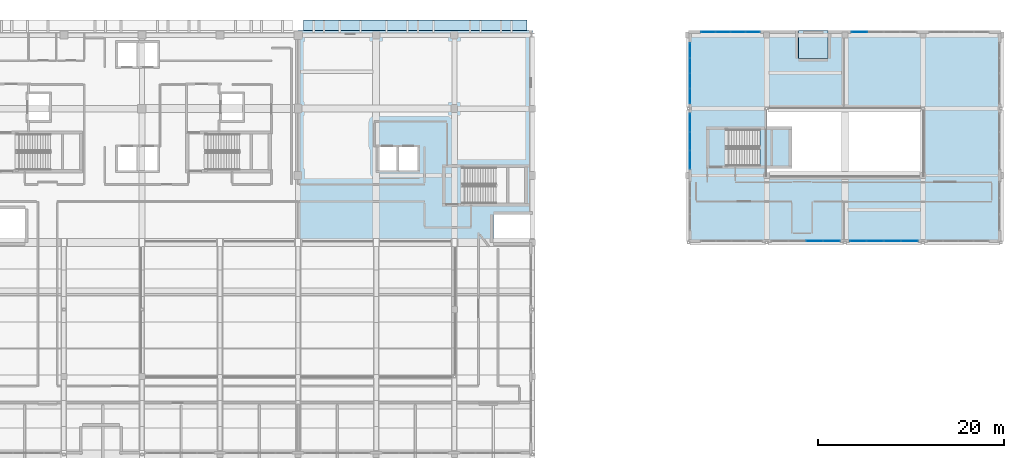
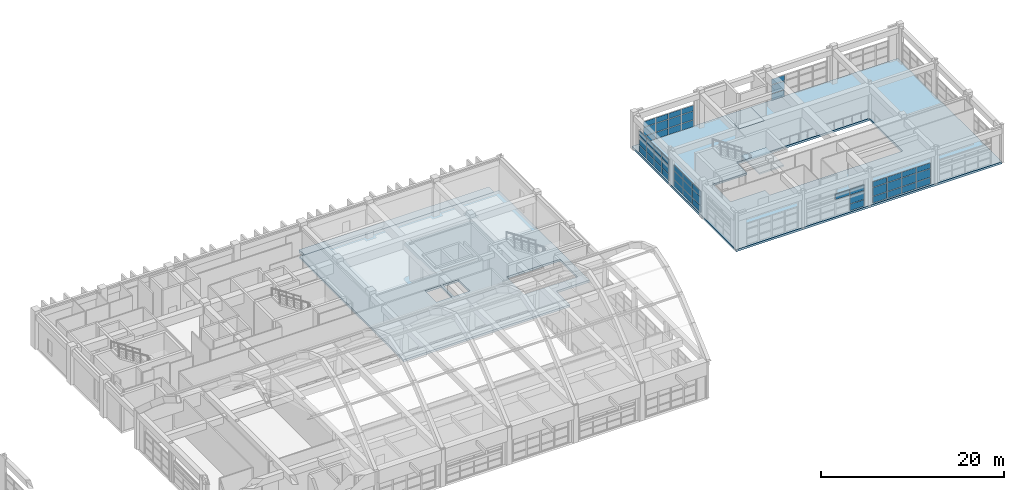
# One storey, part 78 of 103: 52 plates, 5 slabs, 7 elements without a shape of their own.
"""IFC4 building model written with IfcOpenShell, lengths in metres."""

from ifc_helpers import new_model, si_unit, direction, frame, origin, origin_2d, place, context, subcontext, project, spatial, polyline, rectangle, outline, extrude, material, layer, layer_set, type_object, element, aggregate, save


model = new_model("IFC4")

# Units and contexts
model_context = context("Model", 3, precision=1e-05, world=origin(), true_north=direction((0.0, 1.0)))
body_context = subcontext(model_context, "Body", "Model", "MODEL_VIEW")
ifc_project = project(units=[si_unit("LENGTHUNIT", "METRE"), si_unit("AREAUNIT", "SQUARE_METRE"), si_unit("VOLUMEUNIT", "CUBIC_METRE"), si_unit("PLANEANGLEUNIT", "RADIAN"), si_unit("MASSUNIT", "GRAM", prefix="KILO")], contexts=[model_context])

# Site, building, storey
site_placement = place(None, origin())
site = spatial("IfcSite", under=ifc_project, at=site_placement, CompositionType="ELEMENT")
building_placement = place(site_placement, origin())
building = spatial("IfcBuilding", under=site, at=building_placement, Name="Quendrovan Civic Courthouse", CompositionType="ELEMENT")
storey_placement = place(building_placement, frame((0.0, 0.0, 15.300048828125)))
storey = spatial("IfcBuildingStorey", under=building, at=storey_placement, Name="L04", CompositionType="ELEMENT", Elevation=15.300048828125)

# Curtain wall, plates
ifc_material_1 = material(Name="Bronze anodised aluminium and low-E glass", Category="aluminium")
ifc_layer_1 = layer(ifc_material_1, 0.179931640625, Name="Bronze anodised aluminium and low-E glass")
ifc_layer_set_1 = layer_set([ifc_layer_1], Name="Bronze anodised aluminium and low-E glass")
curtain_wall_type_1 = type_object("IfcCurtainWallType", Name="CW-U70x30", PredefinedType="USERDEFINED", material=ifc_layer_set_1)
curtain_wall_1_placement = place(storey_placement, origin())
curtain_wall_1 = element("IfcCurtainWall", 1, at=curtain_wall_1_placement, inside=storey, type_object=curtain_wall_type_1, Name="L04 Unitised Hurricane Curtain Wall CW-168", ObjectType="UNITISED CURTAIN WALL", PredefinedType="USERDEFINED")
ifc_material_2 = material(Name="Laminated hurricane-impact low-E glass", Category="glass")
ifc_layer_2 = layer(ifc_material_2, 0.028076171875, Name="Laminated hurricane-impact low-E glass")
ifc_layer_set_2 = layer_set([ifc_layer_2], Name="Laminated hurricane-impact low-E glass")
plate_type_1 = type_object("IfcPlateType", Name="CW-PNL-1", PredefinedType="CURTAIN_PANEL", material=ifc_layer_set_2)
plate_1_placement = place(storey_placement, frame((127.57373046875, 110.235107421875, 0.06982421875), z_axis=(0.0, 0.0, 1.0), x_axis=(1.0, 0.0, 0.0)))
plate_1 = element("IfcPlate", 2, at=plate_1_placement, type_object=plate_type_1, Name="CW-168 panel 1.1", PredefinedType="CURTAIN_PANEL", context=body_context, shape_type="SweptSolid", body=[
    extrude(rectangle(XDim=1.657470703125, YDim=0.028076171875, at=origin_2d()), origin(), (0.0, 0.0, 1.0), 0.844970703125),
])
plate_2_placement = place(storey_placement, frame((127.57373046875, 110.235107421875, 0.985107421875), z_axis=(0.0, 0.0, 1.0), x_axis=(1.0, 0.0, 0.0)))
plate_2 = element("IfcPlate", 3, at=plate_2_placement, type_object=plate_type_1, Name="CW-168 panel 1.2", PredefinedType="CURTAIN_PANEL", context=body_context, shape_type="SweptSolid", body=[
    extrude(rectangle(XDim=1.657470703125, YDim=0.028076171875, at=origin_2d()), origin(), (0.0, 0.0, 1.0), 1.1298828125),
])
plate_3_placement = place(storey_placement, frame((127.57373046875, 110.235107421875, 2.18505859375), z_axis=(0.0, 0.0, 1.0), x_axis=(1.0, 0.0, 0.0)))
plate_3 = element("IfcPlate", 4, at=plate_3_placement, type_object=plate_type_1, Name="CW-168 panel 1.3", PredefinedType="CURTAIN_PANEL", context=body_context, shape_type="SweptSolid", body=[
    extrude(rectangle(XDim=1.657470703125, YDim=0.028076171875, at=origin_2d()), origin(), (0.0, 0.0, 1.0), 0.715087890625),
])
aggregate(curtain_wall_1, [plate_1, plate_2, plate_3])

ifc_layer_3 = layer(ifc_material_1, 0.179931640625, Name="Bronze anodised aluminium and low-E glass")
ifc_layer_set_3 = layer_set([ifc_layer_3], Name="Bronze anodised aluminium and low-E glass")
curtain_wall_type_2 = type_object("IfcCurtainWallType", Name="CW-U74x30", PredefinedType="USERDEFINED", material=ifc_layer_set_3)
curtain_wall_2_placement = place(storey_placement, origin())
curtain_wall_2 = element("IfcCurtainWall", 5, at=curtain_wall_2_placement, inside=storey, type_object=curtain_wall_type_2, Name="L04 Unitised Hurricane Curtain Wall CW-174", ObjectType="UNITISED CURTAIN WALL", PredefinedType="USERDEFINED")
ifc_layer_4 = layer(ifc_material_2, 0.035888671875, Name="Laminated hurricane-impact low-E glass")
ifc_layer_set_4 = layer_set([ifc_layer_4], Name="Laminated hurricane-impact low-E glass")
plate_type_2 = type_object("IfcPlateType", Name="CW-PNL-3", PredefinedType="CURTAIN_PANEL", material=ifc_layer_set_4)
plate_4_placement = place(storey_placement, frame((132.95751953125, 87.764892578125, 0.06982421875), z_axis=(0.0, 0.0, 1.0), x_axis=(-1.0, 0.0, 0.0)))
plate_4 = element("IfcPlate", 6, at=plate_4_placement, type_object=plate_type_2, Name="CW-174 panel 1.1", PredefinedType="CURTAIN_PANEL", context=body_context, shape_type="SweptSolid", body=[
    extrude(rectangle(XDim=1.7451171875, YDim=0.035888671875, at=origin_2d()), origin(), (0.0, 0.0, 1.0), 0.844970703125),
])
plate_5_placement = place(storey_placement, frame((132.95751953125, 87.764892578125, 0.985107421875), z_axis=(0.0, 0.0, 1.0), x_axis=(-1.0, 0.0, 0.0)))
plate_5 = element("IfcPlate", 7, at=plate_5_placement, type_object=plate_type_2, Name="CW-174 panel 1.2", PredefinedType="CURTAIN_PANEL", context=body_context, shape_type="SweptSolid", body=[
    extrude(rectangle(XDim=1.7451171875, YDim=0.035888671875, at=origin_2d()), origin(), (0.0, 0.0, 1.0), 1.1298828125),
])
plate_6_placement = place(storey_placement, frame((132.95751953125, 87.764892578125, 2.18505859375), z_axis=(0.0, 0.0, 1.0), x_axis=(-1.0, 0.0, 0.0)))
plate_6 = element("IfcPlate", 8, at=plate_6_placement, type_object=plate_type_2, Name="CW-174 panel 1.3", PredefinedType="CURTAIN_PANEL", context=body_context, shape_type="SweptSolid", body=[
    extrude(rectangle(XDim=1.7451171875, YDim=0.035888671875, at=origin_2d()), origin(), (0.0, 0.0, 1.0), 0.715087890625),
])
plate_7_placement = place(storey_placement, frame((131.125, 87.764892578125, 0.06982421875), z_axis=(0.0, 0.0, 1.0), x_axis=(-1.0, 0.0, 0.0)))
plate_7 = element("IfcPlate", 9, at=plate_7_placement, type_object=plate_type_2, Name="CW-174 panel 2.1", PredefinedType="CURTAIN_PANEL", context=body_context, shape_type="SweptSolid", body=[
    extrude(rectangle(XDim=1.780029296875, YDim=0.035888671875, at=origin_2d()), origin(), (0.0, 0.0, 1.0), 0.844970703125),
])
plate_8_placement = place(storey_placement, frame((131.125, 87.764892578125, 0.985107421875), z_axis=(0.0, 0.0, 1.0), x_axis=(-1.0, 0.0, 0.0)))
plate_8 = element("IfcPlate", 10, at=plate_8_placement, type_object=plate_type_2, Name="CW-174 panel 2.2", PredefinedType="CURTAIN_PANEL", context=body_context, shape_type="SweptSolid", body=[
    extrude(rectangle(XDim=1.780029296875, YDim=0.035888671875, at=origin_2d()), origin(), (0.0, 0.0, 1.0), 1.1298828125),
])
plate_9_placement = place(storey_placement, frame((131.125, 87.764892578125, 2.18505859375), z_axis=(0.0, 0.0, 1.0), x_axis=(-1.0, 0.0, 0.0)))
plate_9 = element("IfcPlate", 11, at=plate_9_placement, type_object=plate_type_2, Name="CW-174 panel 2.3", PredefinedType="CURTAIN_PANEL", context=body_context, shape_type="SweptSolid", body=[
    extrude(rectangle(XDim=1.780029296875, YDim=0.035888671875, at=origin_2d()), origin(), (0.0, 0.0, 1.0), 0.715087890625),
])
plate_10_placement = place(storey_placement, frame((129.27490234375, 87.764892578125, 0.06982421875), z_axis=(0.0, 0.0, 1.0), x_axis=(-1.0, 0.0, 0.0)))
plate_10 = element("IfcPlate", 12, at=plate_10_placement, type_object=plate_type_2, Name="CW-174 panel 3.1", PredefinedType="CURTAIN_PANEL", context=body_context, shape_type="SweptSolid", body=[
    extrude(rectangle(XDim=1.780029296875, YDim=0.035888671875, at=origin_2d()), origin(), (0.0, 0.0, 1.0), 0.844970703125),
])
plate_11_placement = place(storey_placement, frame((129.27490234375, 87.764892578125, 0.985107421875), z_axis=(0.0, 0.0, 1.0), x_axis=(-1.0, 0.0, 0.0)))
plate_11 = element("IfcPlate", 13, at=plate_11_placement, type_object=plate_type_2, Name="CW-174 panel 3.2", PredefinedType="CURTAIN_PANEL", context=body_context, shape_type="SweptSolid", body=[
    extrude(rectangle(XDim=1.780029296875, YDim=0.035888671875, at=origin_2d()), origin(), (0.0, 0.0, 1.0), 1.1298828125),
])
plate_12_placement = place(storey_placement, frame((129.27490234375, 87.764892578125, 2.18505859375), z_axis=(0.0, 0.0, 1.0), x_axis=(-1.0, 0.0, 0.0)))
plate_12 = element("IfcPlate", 14, at=plate_12_placement, type_object=plate_type_2, Name="CW-174 panel 3.3", PredefinedType="CURTAIN_PANEL", context=body_context, shape_type="SweptSolid", body=[
    extrude(rectangle(XDim=1.780029296875, YDim=0.035888671875, at=origin_2d()), origin(), (0.0, 0.0, 1.0), 0.715087890625),
])
plate_13_placement = place(storey_placement, frame((127.4423828125, 87.764892578125, 0.06982421875), z_axis=(0.0, 0.0, 1.0), x_axis=(-1.0, 0.0, 0.0)))
plate_13 = element("IfcPlate", 15, at=plate_13_placement, type_object=plate_type_2, Name="CW-174 panel 4.1", PredefinedType="CURTAIN_PANEL", context=body_context, shape_type="SweptSolid", body=[
    extrude(rectangle(XDim=1.7451171875, YDim=0.035888671875, at=origin_2d()), origin(), (0.0, 0.0, 1.0), 0.844970703125),
])
plate_14_placement = place(storey_placement, frame((127.4423828125, 87.764892578125, 0.985107421875), z_axis=(0.0, 0.0, 1.0), x_axis=(-1.0, 0.0, 0.0)))
plate_14 = element("IfcPlate", 16, at=plate_14_placement, type_object=plate_type_2, Name="CW-174 panel 4.2", PredefinedType="CURTAIN_PANEL", context=body_context, shape_type="SweptSolid", body=[
    extrude(rectangle(XDim=1.7451171875, YDim=0.035888671875, at=origin_2d()), origin(), (0.0, 0.0, 1.0), 1.1298828125),
])
plate_15_placement = place(storey_placement, frame((127.4423828125, 87.764892578125, 2.18505859375), z_axis=(0.0, 0.0, 1.0), x_axis=(-1.0, 0.0, 0.0)))
plate_15 = element("IfcPlate", 17, at=plate_15_placement, type_object=plate_type_2, Name="CW-174 panel 4.3", PredefinedType="CURTAIN_PANEL", context=body_context, shape_type="SweptSolid", body=[
    extrude(rectangle(XDim=1.7451171875, YDim=0.035888671875, at=origin_2d()), origin(), (0.0, 0.0, 1.0), 0.715087890625),
])
aggregate(curtain_wall_2, [plate_4, plate_5, plate_6, plate_7, plate_8, plate_9, plate_10, plate_11, plate_12, plate_13, plate_14, plate_15])

ifc_layer_5 = layer(ifc_material_1, 0.179931640625, Name="Bronze anodised aluminium and low-E glass")
ifc_layer_set_5 = layer_set([ifc_layer_5], Name="Bronze anodised aluminium and low-E glass")
curtain_wall_type_3 = type_object("IfcCurtainWallType", Name="CW-U60x30", PredefinedType="USERDEFINED", material=ifc_layer_set_5)
curtain_wall_3_placement = place(storey_placement, origin())
curtain_wall_3 = element("IfcCurtainWall", 18, at=curtain_wall_3_placement, inside=storey, type_object=curtain_wall_type_3, Name="L04 Unitised Hurricane Curtain Wall CW-178", ObjectType="UNITISED CURTAIN WALL", PredefinedType="USERDEFINED")
plate_16_placement = place(storey_placement, frame((109.364990234375, 96.49658203125, 0.06982421875), z_axis=(0.0, 0.0, 1.0), x_axis=(0.0, 1.0, 0.0)))
plate_16 = element("IfcPlate", 19, at=plate_16_placement, type_object=plate_type_2, Name="CW-178 panel 1.1", PredefinedType="CURTAIN_PANEL", context=body_context, shape_type="SweptSolid", body=[
    extrude(rectangle(XDim=1.9033203125, YDim=0.035888671875, at=origin_2d()), origin(), (0.0, 0.0, 1.0), 0.844970703125),
])
plate_17_placement = place(storey_placement, frame((109.364990234375, 96.49658203125, 0.985107421875), z_axis=(0.0, 0.0, 1.0), x_axis=(0.0, 1.0, 0.0)))
plate_17 = element("IfcPlate", 20, at=plate_17_placement, type_object=plate_type_2, Name="CW-178 panel 1.2", PredefinedType="CURTAIN_PANEL", context=body_context, shape_type="SweptSolid", body=[
    extrude(rectangle(XDim=1.9033203125, YDim=0.035888671875, at=origin_2d()), origin(), (0.0, 0.0, 1.0), 1.1298828125),
])
plate_18_placement = place(storey_placement, frame((109.364990234375, 96.49658203125, 2.18505859375), z_axis=(0.0, 0.0, 1.0), x_axis=(0.0, 1.0, 0.0)))
plate_18 = element("IfcPlate", 21, at=plate_18_placement, type_object=plate_type_2, Name="CW-178 panel 1.3", PredefinedType="CURTAIN_PANEL", context=body_context, shape_type="SweptSolid", body=[
    extrude(rectangle(XDim=1.9033203125, YDim=0.035888671875, at=origin_2d()), origin(), (0.0, 0.0, 1.0), 0.715087890625),
])
plate_19_placement = place(storey_placement, frame((109.364990234375, 98.487548828125, 0.06982421875), z_axis=(0.0, 0.0, 1.0), x_axis=(0.0, 1.0, 0.0)))
plate_19 = element("IfcPlate", 22, at=plate_19_placement, type_object=plate_type_2, Name="CW-178 panel 2.1", PredefinedType="CURTAIN_PANEL", context=body_context, shape_type="SweptSolid", body=[
    extrude(rectangle(XDim=1.938232421875, YDim=0.035888671875, at=origin_2d()), origin(), (0.0, 0.0, 1.0), 0.844970703125),
])
plate_20_placement = place(storey_placement, frame((109.364990234375, 98.487548828125, 0.985107421875), z_axis=(0.0, 0.0, 1.0), x_axis=(0.0, 1.0, 0.0)))
plate_20 = element("IfcPlate", 23, at=plate_20_placement, type_object=plate_type_2, Name="CW-178 panel 2.2", PredefinedType="CURTAIN_PANEL", context=body_context, shape_type="SweptSolid", body=[
    extrude(rectangle(XDim=1.938232421875, YDim=0.035888671875, at=origin_2d()), origin(), (0.0, 0.0, 1.0), 1.1298828125),
])
plate_21_placement = place(storey_placement, frame((109.364990234375, 98.487548828125, 2.18505859375), z_axis=(0.0, 0.0, 1.0), x_axis=(0.0, 1.0, 0.0)))
plate_21 = element("IfcPlate", 24, at=plate_21_placement, type_object=plate_type_2, Name="CW-178 panel 2.3", PredefinedType="CURTAIN_PANEL", context=body_context, shape_type="SweptSolid", body=[
    extrude(rectangle(XDim=1.938232421875, YDim=0.035888671875, at=origin_2d()), origin(), (0.0, 0.0, 1.0), 0.715087890625),
])
plate_22_placement = place(storey_placement, frame((109.364990234375, 100.478271484375, 0.06982421875), z_axis=(0.0, 0.0, 1.0), x_axis=(0.0, 1.0, 0.0)))
plate_22 = element("IfcPlate", 25, at=plate_22_placement, type_object=plate_type_2, Name="CW-178 panel 3.1", PredefinedType="CURTAIN_PANEL", context=body_context, shape_type="SweptSolid", body=[
    extrude(rectangle(XDim=1.9033203125, YDim=0.035888671875, at=origin_2d()), origin(), (0.0, 0.0, 1.0), 0.844970703125),
])
plate_23_placement = place(storey_placement, frame((109.364990234375, 100.478271484375, 0.985107421875), z_axis=(0.0, 0.0, 1.0), x_axis=(0.0, 1.0, 0.0)))
plate_23 = element("IfcPlate", 26, at=plate_23_placement, type_object=plate_type_2, Name="CW-178 panel 3.2", PredefinedType="CURTAIN_PANEL", context=body_context, shape_type="SweptSolid", body=[
    extrude(rectangle(XDim=1.9033203125, YDim=0.035888671875, at=origin_2d()), origin(), (0.0, 0.0, 1.0), 1.1298828125),
])
plate_24_placement = place(storey_placement, frame((109.364990234375, 100.478271484375, 2.18505859375), z_axis=(0.0, 0.0, 1.0), x_axis=(0.0, 1.0, 0.0)))
plate_24 = element("IfcPlate", 27, at=plate_24_placement, type_object=plate_type_2, Name="CW-178 panel 3.3", PredefinedType="CURTAIN_PANEL", context=body_context, shape_type="SweptSolid", body=[
    extrude(rectangle(XDim=1.9033203125, YDim=0.035888671875, at=origin_2d()), origin(), (0.0, 0.0, 1.0), 0.715087890625),
])
aggregate(curtain_wall_3, [plate_16, plate_17, plate_18, plate_19, plate_20, plate_21, plate_22, plate_23, plate_24])

ifc_layer_6 = layer(ifc_material_1, 0.179931640625, Name="Bronze anodised aluminium and low-E glass")
ifc_layer_set_6 = layer_set([ifc_layer_6], Name="Bronze anodised aluminium and low-E glass")
curtain_wall_type_4 = type_object("IfcCurtainWallType", Name="CW-U64x30", PredefinedType="USERDEFINED", material=ifc_layer_set_6)
curtain_wall_4_placement = place(storey_placement, origin())
curtain_wall_4 = element("IfcCurtainWall", 28, at=curtain_wall_4_placement, inside=storey, type_object=curtain_wall_type_4, Name="L04 Unitised Hurricane Curtain Wall CW-167", ObjectType="UNITISED CURTAIN WALL", PredefinedType="USERDEFINED")
ifc_layer_7 = layer(ifc_material_2, 0.0419921875, Name="Laminated hurricane-impact low-E glass")
ifc_layer_set_7 = layer_set([ifc_layer_7], Name="Laminated hurricane-impact low-E glass")
plate_type_3 = type_object("IfcPlateType", Name="CW-PNL-4", PredefinedType="CURTAIN_PANEL", material=ifc_layer_set_7)
plate_25_placement = place(storey_placement, frame((111.3193359375, 110.235107421875, 0.06494140625), z_axis=(0.0, 0.0, 1.0), x_axis=(1.0, 0.0, 0.0)))
plate_25 = element("IfcPlate", 29, at=plate_25_placement, type_object=plate_type_3, Name="CW-167 panel 1.1", PredefinedType="CURTAIN_PANEL", context=body_context, shape_type="SweptSolid", body=[
    extrude(rectangle(XDim=1.5087890625, YDim=0.0419921875, at=origin_2d()), origin(), (0.0, 0.0, 1.0), 0.8525390625),
])
plate_26_placement = place(storey_placement, frame((111.3193359375, 110.235107421875, 0.982421875), z_axis=(0.0, 0.0, 1.0), x_axis=(1.0, 0.0, 0.0)))
plate_26 = element("IfcPlate", 30, at=plate_26_placement, type_object=plate_type_3, Name="CW-167 panel 1.2", PredefinedType="CURTAIN_PANEL", context=body_context, shape_type="SweptSolid", body=[
    extrude(rectangle(XDim=1.5087890625, YDim=0.0419921875, at=origin_2d()), origin(), (0.0, 0.0, 1.0), 1.135009765625),
])
plate_27_placement = place(storey_placement, frame((111.3193359375, 110.235107421875, 2.1826171875), z_axis=(0.0, 0.0, 1.0), x_axis=(1.0, 0.0, 0.0)))
plate_27 = element("IfcPlate", 31, at=plate_27_placement, type_object=plate_type_3, Name="CW-167 panel 1.3", PredefinedType="CURTAIN_PANEL", context=body_context, shape_type="SweptSolid", body=[
    extrude(rectangle(XDim=1.5087890625, YDim=0.0419921875, at=origin_2d()), origin(), (0.0, 0.0, 1.0), 0.722412109375),
])
plate_28_placement = place(storey_placement, frame((112.909423828125, 110.235107421875, 0.06494140625), z_axis=(0.0, 0.0, 1.0), x_axis=(1.0, 0.0, 0.0)))
plate_28 = element("IfcPlate", 32, at=plate_28_placement, type_object=plate_type_3, Name="CW-167 panel 2.1", PredefinedType="CURTAIN_PANEL", context=body_context, shape_type="SweptSolid", body=[
    extrude(rectangle(XDim=1.541259765625, YDim=0.0419921875, at=origin_2d()), origin(), (0.0, 0.0, 1.0), 0.8525390625),
])
plate_29_placement = place(storey_placement, frame((112.909423828125, 110.235107421875, 0.982421875), z_axis=(0.0, 0.0, 1.0), x_axis=(1.0, 0.0, 0.0)))
plate_29 = element("IfcPlate", 33, at=plate_29_placement, type_object=plate_type_3, Name="CW-167 panel 2.2", PredefinedType="CURTAIN_PANEL", context=body_context, shape_type="SweptSolid", body=[
    extrude(rectangle(XDim=1.541259765625, YDim=0.0419921875, at=origin_2d()), origin(), (0.0, 0.0, 1.0), 1.135009765625),
])
plate_30_placement = place(storey_placement, frame((112.909423828125, 110.235107421875, 2.1826171875), z_axis=(0.0, 0.0, 1.0), x_axis=(1.0, 0.0, 0.0)))
plate_30 = element("IfcPlate", 34, at=plate_30_placement, type_object=plate_type_3, Name="CW-167 panel 2.3", PredefinedType="CURTAIN_PANEL", context=body_context, shape_type="SweptSolid", body=[
    extrude(rectangle(XDim=1.541259765625, YDim=0.0419921875, at=origin_2d()), origin(), (0.0, 0.0, 1.0), 0.722412109375),
])
plate_31_placement = place(storey_placement, frame((114.515625, 110.235107421875, 0.06494140625), z_axis=(0.0, 0.0, 1.0), x_axis=(1.0, 0.0, 0.0)))
plate_31 = element("IfcPlate", 35, at=plate_31_placement, type_object=plate_type_3, Name="CW-167 panel 3.1", PredefinedType="CURTAIN_PANEL", context=body_context, shape_type="SweptSolid", body=[
    extrude(rectangle(XDim=1.541259765625, YDim=0.0419921875, at=origin_2d()), origin(), (0.0, 0.0, 1.0), 0.8525390625),
])
plate_32_placement = place(storey_placement, frame((114.515625, 110.235107421875, 0.982421875), z_axis=(0.0, 0.0, 1.0), x_axis=(1.0, 0.0, 0.0)))
plate_32 = element("IfcPlate", 36, at=plate_32_placement, type_object=plate_type_3, Name="CW-167 panel 3.2", PredefinedType="CURTAIN_PANEL", context=body_context, shape_type="SweptSolid", body=[
    extrude(rectangle(XDim=1.541259765625, YDim=0.0419921875, at=origin_2d()), origin(), (0.0, 0.0, 1.0), 1.135009765625),
])
plate_33_placement = place(storey_placement, frame((114.515625, 110.235107421875, 2.1826171875), z_axis=(0.0, 0.0, 1.0), x_axis=(1.0, 0.0, 0.0)))
plate_33 = element("IfcPlate", 37, at=plate_33_placement, type_object=plate_type_3, Name="CW-167 panel 3.3", PredefinedType="CURTAIN_PANEL", context=body_context, shape_type="SweptSolid", body=[
    extrude(rectangle(XDim=1.541259765625, YDim=0.0419921875, at=origin_2d()), origin(), (0.0, 0.0, 1.0), 0.722412109375),
])
plate_34_placement = place(storey_placement, frame((116.105712890625, 110.235107421875, 0.06494140625), z_axis=(0.0, 0.0, 1.0), x_axis=(1.0, 0.0, 0.0)))
plate_34 = element("IfcPlate", 38, at=plate_34_placement, type_object=plate_type_3, Name="CW-167 panel 4.1", PredefinedType="CURTAIN_PANEL", context=body_context, shape_type="SweptSolid", body=[
    extrude(rectangle(XDim=1.5087890625, YDim=0.0419921875, at=origin_2d()), origin(), (0.0, 0.0, 1.0), 0.8525390625),
])
plate_35_placement = place(storey_placement, frame((116.105712890625, 110.235107421875, 0.982421875), z_axis=(0.0, 0.0, 1.0), x_axis=(1.0, 0.0, 0.0)))
plate_35 = element("IfcPlate", 39, at=plate_35_placement, type_object=plate_type_3, Name="CW-167 panel 4.2", PredefinedType="CURTAIN_PANEL", context=body_context, shape_type="SweptSolid", body=[
    extrude(rectangle(XDim=1.5087890625, YDim=0.0419921875, at=origin_2d()), origin(), (0.0, 0.0, 1.0), 1.135009765625),
])
plate_36_placement = place(storey_placement, frame((116.105712890625, 110.235107421875, 2.1826171875), z_axis=(0.0, 0.0, 1.0), x_axis=(1.0, 0.0, 0.0)))
plate_36 = element("IfcPlate", 40, at=plate_36_placement, type_object=plate_type_3, Name="CW-167 panel 4.3", PredefinedType="CURTAIN_PANEL", context=body_context, shape_type="SweptSolid", body=[
    extrude(rectangle(XDim=1.5087890625, YDim=0.0419921875, at=origin_2d()), origin(), (0.0, 0.0, 1.0), 0.722412109375),
])
aggregate(curtain_wall_4, [plate_25, plate_26, plate_27, plate_28, plate_29, plate_30, plate_31, plate_32, plate_33, plate_34, plate_35, plate_36])

curtain_wall_5_placement = place(storey_placement, origin())
curtain_wall_5 = element("IfcCurtainWall", 41, at=curtain_wall_5_placement, inside=storey, type_object=curtain_wall_type_2, Name="L04 Unitised Hurricane Curtain Wall CW-175", ObjectType="UNITISED CURTAIN WALL", PredefinedType="USERDEFINED")
plate_37_placement = place(storey_placement, frame((124.558837890625, 87.764892578125, 0.06494140625), z_axis=(0.0, 0.0, 1.0), x_axis=(-1.0, 0.0, 0.0)))
plate_37 = element("IfcPlate", 42, at=plate_37_placement, type_object=plate_type_3, Name="CW-175 panel 1.1", PredefinedType="CURTAIN_PANEL", context=body_context, shape_type="SweptSolid", body=[
    extrude(rectangle(XDim=1.75244140625, YDim=0.0419921875, at=origin_2d()), origin(), (0.0, 0.0, 1.0), 0.8525390625),
])
plate_38_placement = place(storey_placement, frame((124.558837890625, 87.764892578125, 0.982421875), z_axis=(0.0, 0.0, 1.0), x_axis=(-1.0, 0.0, 0.0)))
plate_38 = element("IfcPlate", 43, at=plate_38_placement, type_object=plate_type_3, Name="CW-175 panel 1.2", PredefinedType="CURTAIN_PANEL", context=body_context, shape_type="SweptSolid", body=[
    extrude(rectangle(XDim=1.75244140625, YDim=0.0419921875, at=origin_2d()), origin(), (0.0, 0.0, 1.0), 1.135009765625),
])
plate_39_placement = place(storey_placement, frame((124.558837890625, 87.764892578125, 2.1826171875), z_axis=(0.0, 0.0, 1.0), x_axis=(-1.0, 0.0, 0.0)))
plate_39 = element("IfcPlate", 44, at=plate_39_placement, type_object=plate_type_3, Name="CW-175 panel 1.3", PredefinedType="CURTAIN_PANEL", context=body_context, shape_type="SweptSolid", body=[
    extrude(rectangle(XDim=1.75244140625, YDim=0.0419921875, at=origin_2d()), origin(), (0.0, 0.0, 1.0), 0.722412109375),
])
plate_40_placement = place(storey_placement, frame((122.72509765625, 87.764892578125, 2.1826171875), z_axis=(0.0, 0.0, 1.0), x_axis=(-1.0, 0.0, 0.0)))
plate_40 = element("IfcPlate", 45, at=plate_40_placement, type_object=plate_type_3, Name="CW-175 panel 2.3", PredefinedType="CURTAIN_PANEL", context=body_context, shape_type="SweptSolid", body=[
    extrude(rectangle(XDim=1.784912109375, YDim=0.0419921875, at=origin_2d()), origin(), (0.0, 0.0, 1.0), 0.722412109375),
])
aggregate(curtain_wall_5, [plate_37, plate_38, plate_39, plate_40])

ifc_layer_8 = layer(ifc_material_1, 0.179931640625, Name="Bronze anodised aluminium and low-E glass")
ifc_layer_set_8 = layer_set([ifc_layer_8], Name="Bronze anodised aluminium and low-E glass")
curtain_wall_type_5 = type_object("IfcCurtainWallType", Name="CW-U66x30", PredefinedType="USERDEFINED", material=ifc_layer_set_8)
curtain_wall_6_placement = place(storey_placement, origin())
curtain_wall_6 = element("IfcCurtainWall", 46, at=curtain_wall_6_placement, inside=storey, type_object=curtain_wall_type_5, Name="L04 Unitised Hurricane Curtain Wall CW-179", ObjectType="UNITISED CURTAIN WALL", PredefinedType="USERDEFINED")
plate_41_placement = place(storey_placement, frame((109.364990234375, 103.34130859375, 0.06494140625), z_axis=(0.0, 0.0, 1.0), x_axis=(0.0, 1.0, 0.0)))
plate_41 = element("IfcPlate", 47, at=plate_41_placement, type_object=plate_type_3, Name="CW-179 panel 1.1", PredefinedType="CURTAIN_PANEL", context=body_context, shape_type="SweptSolid", body=[
    extrude(rectangle(XDim=1.552490234375, YDim=0.0419921875, at=origin_2d()), origin(), (0.0, 0.0, 1.0), 0.8525390625),
])
plate_42_placement = place(storey_placement, frame((109.364990234375, 103.34130859375, 0.982421875), z_axis=(0.0, 0.0, 1.0), x_axis=(0.0, 1.0, 0.0)))
plate_42 = element("IfcPlate", 48, at=plate_42_placement, type_object=plate_type_3, Name="CW-179 panel 1.2", PredefinedType="CURTAIN_PANEL", context=body_context, shape_type="SweptSolid", body=[
    extrude(rectangle(XDim=1.552490234375, YDim=0.0419921875, at=origin_2d()), origin(), (0.0, 0.0, 1.0), 1.135009765625),
])
plate_43_placement = place(storey_placement, frame((109.364990234375, 103.34130859375, 2.1826171875), z_axis=(0.0, 0.0, 1.0), x_axis=(0.0, 1.0, 0.0)))
plate_43 = element("IfcPlate", 49, at=plate_43_placement, type_object=plate_type_3, Name="CW-179 panel 1.3", PredefinedType="CURTAIN_PANEL", context=body_context, shape_type="SweptSolid", body=[
    extrude(rectangle(XDim=1.552490234375, YDim=0.0419921875, at=origin_2d()), origin(), (0.0, 0.0, 1.0), 0.722412109375),
])
plate_44_placement = place(storey_placement, frame((109.364990234375, 104.97509765625, 0.06494140625), z_axis=(0.0, 0.0, 1.0), x_axis=(0.0, 1.0, 0.0)))
plate_44 = element("IfcPlate", 50, at=plate_44_placement, type_object=plate_type_3, Name="CW-179 panel 2.1", PredefinedType="CURTAIN_PANEL", context=body_context, shape_type="SweptSolid", body=[
    extrude(rectangle(XDim=1.5849609375, YDim=0.0419921875, at=origin_2d()), origin(), (0.0, 0.0, 1.0), 0.8525390625),
])
plate_45_placement = place(storey_placement, frame((109.364990234375, 104.97509765625, 0.982421875), z_axis=(0.0, 0.0, 1.0), x_axis=(0.0, 1.0, 0.0)))
plate_45 = element("IfcPlate", 51, at=plate_45_placement, type_object=plate_type_3, Name="CW-179 panel 2.2", PredefinedType="CURTAIN_PANEL", context=body_context, shape_type="SweptSolid", body=[
    extrude(rectangle(XDim=1.5849609375, YDim=0.0419921875, at=origin_2d()), origin(), (0.0, 0.0, 1.0), 1.135009765625),
])
plate_46_placement = place(storey_placement, frame((109.364990234375, 104.97509765625, 2.1826171875), z_axis=(0.0, 0.0, 1.0), x_axis=(0.0, 1.0, 0.0)))
plate_46 = element("IfcPlate", 52, at=plate_46_placement, type_object=plate_type_3, Name="CW-179 panel 2.3", PredefinedType="CURTAIN_PANEL", context=body_context, shape_type="SweptSolid", body=[
    extrude(rectangle(XDim=1.5849609375, YDim=0.0419921875, at=origin_2d()), origin(), (0.0, 0.0, 1.0), 0.722412109375),
])
plate_47_placement = place(storey_placement, frame((109.364990234375, 106.625, 0.06494140625), z_axis=(0.0, 0.0, 1.0), x_axis=(0.0, 1.0, 0.0)))
plate_47 = element("IfcPlate", 53, at=plate_47_placement, type_object=plate_type_3, Name="CW-179 panel 3.1", PredefinedType="CURTAIN_PANEL", context=body_context, shape_type="SweptSolid", body=[
    extrude(rectangle(XDim=1.5849609375, YDim=0.0419921875, at=origin_2d()), origin(), (0.0, 0.0, 1.0), 0.8525390625),
])
plate_48_placement = place(storey_placement, frame((109.364990234375, 106.625, 0.982421875), z_axis=(0.0, 0.0, 1.0), x_axis=(0.0, 1.0, 0.0)))
plate_48 = element("IfcPlate", 54, at=plate_48_placement, type_object=plate_type_3, Name="CW-179 panel 3.2", PredefinedType="CURTAIN_PANEL", context=body_context, shape_type="SweptSolid", body=[
    extrude(rectangle(XDim=1.5849609375, YDim=0.0419921875, at=origin_2d()), origin(), (0.0, 0.0, 1.0), 1.135009765625),
])
plate_49_placement = place(storey_placement, frame((109.364990234375, 106.625, 2.1826171875), z_axis=(0.0, 0.0, 1.0), x_axis=(0.0, 1.0, 0.0)))
plate_49 = element("IfcPlate", 55, at=plate_49_placement, type_object=plate_type_3, Name="CW-179 panel 3.3", PredefinedType="CURTAIN_PANEL", context=body_context, shape_type="SweptSolid", body=[
    extrude(rectangle(XDim=1.5849609375, YDim=0.0419921875, at=origin_2d()), origin(), (0.0, 0.0, 1.0), 0.722412109375),
])
plate_50_placement = place(storey_placement, frame((109.364990234375, 108.2587890625, 0.06494140625), z_axis=(0.0, 0.0, 1.0), x_axis=(0.0, 1.0, 0.0)))
plate_50 = element("IfcPlate", 56, at=plate_50_placement, type_object=plate_type_3, Name="CW-179 panel 4.1", PredefinedType="CURTAIN_PANEL", context=body_context, shape_type="SweptSolid", body=[
    extrude(rectangle(XDim=1.552490234375, YDim=0.0419921875, at=origin_2d()), origin(), (0.0, 0.0, 1.0), 0.8525390625),
])
plate_51_placement = place(storey_placement, frame((109.364990234375, 108.2587890625, 0.982421875), z_axis=(0.0, 0.0, 1.0), x_axis=(0.0, 1.0, 0.0)))
plate_51 = element("IfcPlate", 57, at=plate_51_placement, type_object=plate_type_3, Name="CW-179 panel 4.2", PredefinedType="CURTAIN_PANEL", context=body_context, shape_type="SweptSolid", body=[
    extrude(rectangle(XDim=1.552490234375, YDim=0.0419921875, at=origin_2d()), origin(), (0.0, 0.0, 1.0), 1.135009765625),
])
plate_52_placement = place(storey_placement, frame((109.364990234375, 108.2587890625, 2.1826171875), z_axis=(0.0, 0.0, 1.0), x_axis=(0.0, 1.0, 0.0)))
plate_52 = element("IfcPlate", 58, at=plate_52_placement, type_object=plate_type_3, Name="CW-179 panel 4.3", PredefinedType="CURTAIN_PANEL", context=body_context, shape_type="SweptSolid", body=[
    extrude(rectangle(XDim=1.552490234375, YDim=0.0419921875, at=origin_2d()), origin(), (0.0, 0.0, 1.0), 0.722412109375),
])
aggregate(curtain_wall_6, [plate_41, plate_42, plate_43, plate_44, plate_45, plate_46, plate_47, plate_48, plate_49, plate_50, plate_51, plate_52])

# Slabs
ifc_material_3 = material(Name="Precast limestone concrete C45/55", Category="masonry")
ifc_layer_9 = layer(ifc_material_3, 0.419921875, Name="Precast limestone concrete C45/55")
ifc_layer_set_9 = layer_set([ifc_layer_9], Name="Precast limestone concrete C45/55")
slab_type_1 = type_object("IfcSlabType", Name="SLB-LEDGE-420", PredefinedType="FLOOR", material=ifc_layer_set_9)
slab_1_placement = place(storey_placement, frame((0.0, 0.0, -0.420166015625)))
element("IfcSlab", 59, at=slab_1_placement, inside=storey, type_object=slab_type_1, Name="L04 Precast Architectural Spandrel Fin Shelf 364-0", PredefinedType="FLOOR", context=body_context, shape_type="SweptSolid", body=[
    extrude(outline(polyline([(67.800048828125, 111.528076171875), (91.800048828125, 111.528076171875), (91.800048828125, 110.3779296875), (67.800048828125, 110.3779296875), (67.800048828125, 111.528076171875)])), origin(), (0.0, 0.0, 1.0), 0.420166015625),
])
ifc_material_4 = material(Name="Post-tensioned concrete C50/60", Category="concrete")
ifc_layer_10 = layer(ifc_material_4, 0.280029296875, Name="Post-tensioned concrete C50/60")
ifc_layer_set_10 = layer_set([ifc_layer_10], Name="Post-tensioned concrete C50/60")
slab_type_2 = type_object("IfcSlabType", Name="SLB-PT-280", PredefinedType="FLOOR", material=ifc_layer_set_10)
slab_2_placement = place(storey_placement, frame((0.0, 0.0, -0.280029296875)))
element("IfcSlab", 60, at=slab_2_placement, inside=storey, type_object=slab_type_2, Name="L04 Structural Floor Slab V2E", PredefinedType="FLOOR", context=body_context, shape_type="SweptSolid", body=[
    extrude(outline(polyline([(67.199951171875, 110.39990234375), (92.39990234375, 110.39990234375), (92.39990234375, 90.60009765625), (88.199951171875, 90.60009765625), (88.199951171875, 87.60009765625), (67.199951171875, 87.60009765625), (67.199951171875, 110.39990234375)]), holes=[polyline([(84.85009765625, 91.800048828125), (91.60009765625, 91.800048828125), (91.60009765625, 95.679931640625), (84.85009765625, 95.679931640625), (84.85009765625, 91.800048828125)]), polyline([(75.800048828125, 97.85009765625), (75.800048828125, 95.35009765625), (77.800048828125, 95.35009765625), (77.800048828125, 97.85009765625), (75.800048828125, 97.85009765625)]), polyline([(78.050048828125, 97.85009765625), (78.050048828125, 95.35009765625), (80.050048828125, 95.35009765625), (80.050048828125, 97.85009765625), (78.050048828125, 97.85009765625)])]), origin(), (0.0, 0.0, 1.0), 0.280029296875),
])
slab_3_placement = place(storey_placement, frame((0.0, 0.0, -0.280029296875)))
element("IfcSlab", 61, at=slab_3_placement, inside=storey, type_object=slab_type_2, Name="L04 Structural Floor Slab V1E", PredefinedType="FLOOR", context=body_context, shape_type="SweptSolid", body=[
    extrude(outline(polyline([(142.800048828125, 87.60009765625), (109.199951171875, 87.60009765625), (109.199951171875, 110.39990234375), (121.0, 110.39990234375), (121.0, 107.39990234375), (124.199951171875, 107.39990234375), (124.199951171875, 110.39990234375), (142.800048828125, 110.39990234375), (142.800048828125, 87.60009765625)]), holes=[polyline([(117.60009765625, 95.85009765625), (117.60009765625, 94.800048828125), (134.39990234375, 94.800048828125), (134.39990234375, 102.0), (117.60009765625, 102.0), (117.60009765625, 99.72998046875), (113.25, 99.72998046875), (113.25, 95.85009765625), (117.60009765625, 95.85009765625)])]), origin(), (0.0, 0.0, 1.0), 0.280029296875),
])
ifc_material_5 = material(Name="Concrete C40/50", Category="concrete")
ifc_layer_11 = layer(ifc_material_5, 0.219970703125, Name="Concrete C40/50")
ifc_layer_set_11 = layer_set([ifc_layer_11], Name="Concrete C40/50")
slab_type_3 = type_object("IfcSlabType", Name="SLB-RC-220", PredefinedType="ROOF", material=ifc_layer_set_11)
slab_4_placement = place(storey_placement, frame((0.0, 0.0, -0.219970703125)))
element("IfcSlab", 62, at=slab_4_placement, inside=storey, type_object=slab_type_3, Name="L04 Step-Back Structural Roof Slab SLB-ROOF-L04-16", PredefinedType="ROOF", context=body_context, shape_type="SweptSolid", body=[
    extrude(outline(polyline([(124.199951171875, 110.39990234375), (124.199951171875, 107.39990234375), (121.0, 107.39990234375), (121.0, 110.39990234375), (124.199951171875, 110.39990234375)])), origin(), (0.0, 0.0, 1.0), 0.219970703125),
])

# Stair, slab
stair_type = type_object("IfcStairType", Name="STR-CORE-5100", PredefinedType="HALF_TURN_STAIR", material=ifc_material_5)
stair_placement = place(storey_placement, origin())
stair = element("IfcStair", 63, at=stair_placement, inside=storey, type_object=stair_type, Name="L04 Ceremonial Pavilion Exit Stair 6", PredefinedType="HALF_TURN_STAIR")
ifc_layer_12 = layer(ifc_material_5, 0.199951171875, Name="Concrete C40/50")
ifc_layer_set_12 = layer_set([ifc_layer_12], Name="Concrete C40/50")
slab_type_4 = type_object("IfcSlabType", Name="SLB-STAIR-LND200", PredefinedType="LANDING", material=ifc_layer_set_12)
slab_5_placement = place(storey_placement, frame((0.0, 0.0, 2.349853515625)))
slab_5 = element("IfcSlab", 64, at=slab_5_placement, type_object=slab_type_4, Name="ST6 landing 1", PredefinedType="LANDING", context=body_context, shape_type="SweptSolid", body=[
    extrude(outline(polyline([(116.889892578125, 95.85009765625), (120.0, 95.85009765625), (120.0, 99.72998046875), (116.889892578125, 99.72998046875), (116.889892578125, 95.85009765625)])), origin(), (0.0, 0.0, 1.0), 0.2001953125),
])
aggregate(stair, [slab_5])

save(model, "model.ifc")
